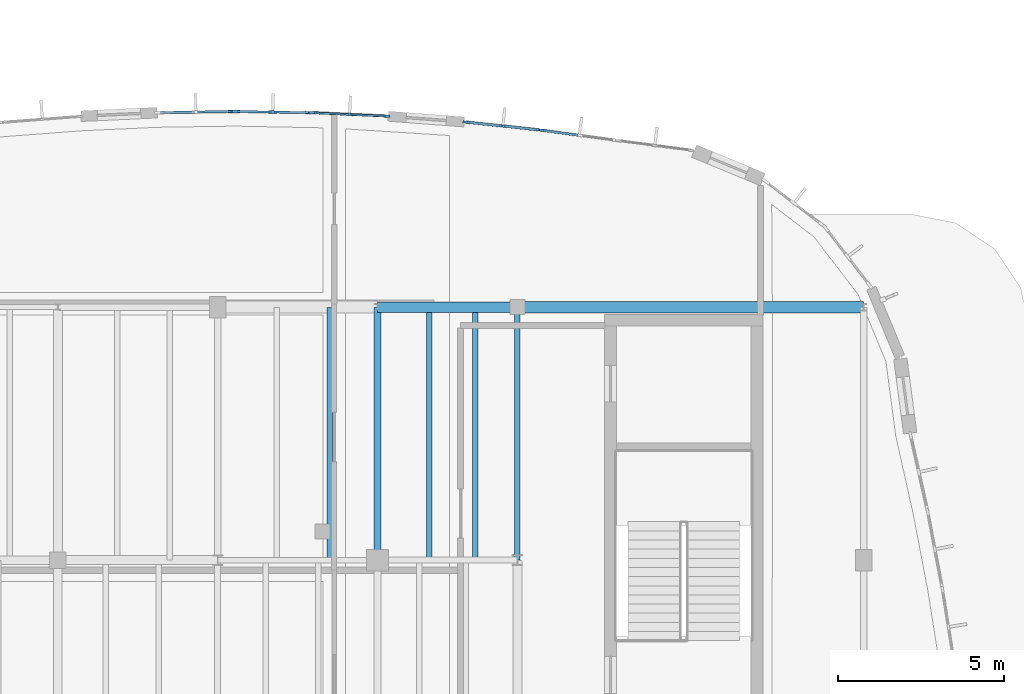
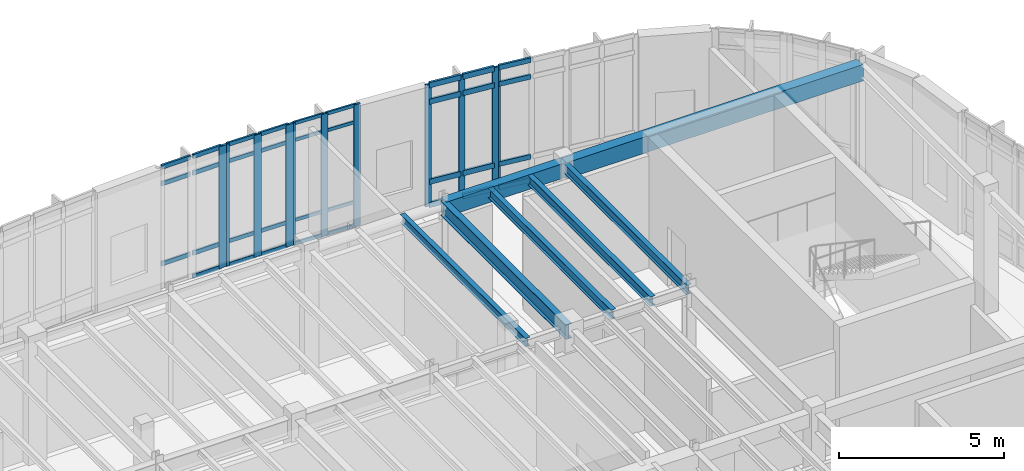
# One storey, part 63 of 120: 46 members, 7 beams, 5 elements without a shape of their own.
"""IFC4 building model written with IfcOpenShell, lengths in metres."""

from ifc_helpers import new_model, si_unit, direction, frame, origin, origin_2d, place, context, subcontext, project, spatial, rectangle, i_section, extrude, material, material_profile, profile_set, type_object, element, aggregate, save


model = new_model("IFC4")

# Units and contexts
model_context = context("Model", 3, precision=1e-05, world=origin(), true_north=direction((0.0, 1.0)))
body_context = subcontext(model_context, "Body", "Model", "MODEL_VIEW")
ifc_project = project(units=[si_unit("LENGTHUNIT", "METRE"), si_unit("AREAUNIT", "SQUARE_METRE"), si_unit("VOLUMEUNIT", "CUBIC_METRE"), si_unit("PLANEANGLEUNIT", "RADIAN"), si_unit("MASSUNIT", "GRAM", prefix="KILO")], contexts=[model_context])

# Site, building, storey
site_placement = place(None, origin())
site = spatial("IfcSite", under=ifc_project, at=site_placement, CompositionType="ELEMENT")
building_placement = place(site_placement, origin())
building = spatial("IfcBuilding", under=site, at=building_placement, Name="Corveleigh Park Community Centre", CompositionType="ELEMENT")
storey_placement = place(building_placement, origin())
storey = spatial("IfcBuildingStorey", under=building, at=storey_placement, Name="L00", CompositionType="ELEMENT", Elevation=0.0)

# Beams
ifc_material_1 = material(Name="Steel S355", Category="steel")
ifc_material_profile_1 = material_profile(ifc_material_1, i_section(OverallWidth=0.1669921875, OverallDepth=0.310302734375, WebThickness=0.0078125, FlangeThickness=0.013671875, at=origin_2d()), Name="UKB 305x165x54", Category="steel")
ifc_profile_set_1 = profile_set([ifc_material_profile_1], Name="Steel S355")
beam_type_1 = type_object("IfcBeamType", Name="BM-STL-UKB305x54", PredefinedType="JOIST", material=ifc_profile_set_1)
beam_1_placement = place(storey_placement, frame((152.360107421875, 96.60498046875, 4.371826171875), z_axis=(0.0, 1.0, 0.0), x_axis=(-1.0, 0.0, 0.0)))
element("IfcBeam", 1, at=beam_1_placement, inside=storey, type_object=beam_type_1, Name="Secondary floor joist", PredefinedType="JOIST", context=body_context, shape_type="SweptSolid", body=[
    extrude(i_section(OverallWidth=0.1669921875, OverallDepth=0.310302734375, WebThickness=0.0078125, FlangeThickness=0.013671875, at=origin_2d()), origin(), (0.0, 0.0, 1.0), 7.590087890625),
])
ifc_material_profile_2 = material_profile(ifc_material_1, i_section(OverallWidth=0.171142578125, OverallDepth=0.351318359375, WebThickness=0.007080078125, FlangeThickness=0.009765625, at=origin_2d()), Name="UKB 356x171x45", Category="steel")
ifc_profile_set_2 = profile_set([ifc_material_profile_2], Name="Steel S355")
beam_type_2 = type_object("IfcBeamType", Name="BM-STL-UKB356x45", PredefinedType="JOIST", material=ifc_profile_set_2)
for number, where, z_axis, x_axis, name in (
    (2, (155.35400390625, 96.60498046875, 4.351318359375), (0.0, 1.0, 0.0), (-1.0, 0.0, 0.0), "Secondary floor joist"),
    (3, (156.739990234375, 96.60498046875, 4.351318359375), (0.0, 1.0, 0.0), (-1.0, 0.0, 0.0), "Secondary floor joist"),
):
    element("IfcBeam", number, at=place(storey_placement, frame(where, z_axis=z_axis, x_axis=x_axis)), inside=storey, type_object=beam_type_2, Name=name, PredefinedType="JOIST", context=body_context, shape_type="SweptSolid", body=[
        extrude(i_section(OverallWidth=0.171142578125, OverallDepth=0.351318359375, WebThickness=0.007080078125, FlangeThickness=0.009765625, at=origin_2d()), origin(), (0.0, 0.0, 1.0), 7.590087890625),
    ])
ifc_material_profile_3 = material_profile(ifc_material_1, i_section(OverallWidth=0.172119140625, OverallDepth=0.35791015625, WebThickness=0.008056640625, FlangeThickness=0.012939453125, at=origin_2d()), Name="UKB 356x171x57", Category="steel")
ifc_profile_set_3 = profile_set([ifc_material_profile_3], Name="Steel S355")
beam_type_3 = type_object("IfcBeamType", Name="BM-STL-UKB356x57", PredefinedType="BEAM", material=ifc_profile_set_3)
beam_2_placement = place(storey_placement, frame((158.0, 96.60498046875, 4.347900390625), z_axis=(0.0, 1.0, 0.0), x_axis=(-1.0, 0.0, 0.0)))
element("IfcBeam", 4, at=beam_2_placement, inside=storey, type_object=beam_type_3, Name="V4 Girder Y", PredefinedType="BEAM", context=body_context, shape_type="SweptSolid", body=[
    extrude(i_section(OverallWidth=0.172119140625, OverallDepth=0.35791015625, WebThickness=0.008056640625, FlangeThickness=0.012939453125, at=origin_2d()), origin(), (0.0, 0.0, 1.0), 7.590087890625),
])
ifc_material_profile_4 = material_profile(ifc_material_1, i_section(OverallWidth=0.210693359375, OverallDepth=0.53955078125, WebThickness=0.01171875, FlangeThickness=0.018798828125, at=origin_2d()), Name="UKB 533x210x109", Category="steel")
ifc_profile_set_4 = profile_set([ifc_material_profile_4], Name="Steel S355")
beam_type_4 = type_object("IfcBeamType", Name="BM-STL-UKB533x109", PredefinedType="BEAM", material=ifc_profile_set_4)
beam_3_placement = place(storey_placement, frame((153.800048828125, 96.60498046875, 4.257080078125), z_axis=(0.0, 1.0, 0.0), x_axis=(-1.0, 0.0, 0.0)))
element("IfcBeam", 5, at=beam_3_placement, inside=storey, type_object=beam_type_4, Name="V4 Girder Y", PredefinedType="BEAM", context=body_context, shape_type="SweptSolid", body=[
    extrude(i_section(OverallWidth=0.210693359375, OverallDepth=0.53955078125, WebThickness=0.01171875, FlangeThickness=0.018798828125, at=origin_2d()), origin(), (0.0, 0.0, 1.0), 7.590087890625),
])

# Curtain wall, member
ifc_material_2 = material(Name="Anodised aluminium 6063-T6", Category="aluminium")
curtain_wall_type = type_object("IfcCurtainWallType", Name="CW-SYS-V4-L00", PredefinedType="NOTDEFINED", material=ifc_material_2)
curtain_wall_1_placement = place(storey_placement, origin())
curtain_wall_1 = element("IfcCurtainWall", 6, at=curtain_wall_1_placement, inside=storey, type_object=curtain_wall_type, Name="V4 L00 Curtain Wall 134", PredefinedType="NOTDEFINED")
ifc_material_profile_5 = material_profile(ifc_material_2, rectangle(XDim=0.06494140625, YDim=0.179931640625, at=origin_2d()), Name="ALU-M65x180", Category="aluminium")
ifc_profile_set_5 = profile_set([ifc_material_profile_5], Name="Anodised aluminium 6063-T6")
member_type_1 = type_object("IfcMemberType", Name="CWM-65x180", PredefinedType="MULLION", material=ifc_profile_set_5)
member_1_placement = place(storey_placement, frame((158.754150390625, 109.509521484375, 0.0), z_axis=(0.0, 0.0, 1.0), x_axis=(0.136534069852, 0.990635375791, 0.0)))
member_1 = element("IfcMember", 7, at=member_1_placement, type_object=member_type_1, Name="CW07 mullion 1", PredefinedType="MULLION", context=body_context, shape_type="SweptSolid", body=[
    extrude(rectangle(XDim=0.06494140625, YDim=0.179931640625, at=origin_2d()), origin(), (0.0, 0.0, 1.0), 4.511962890625),
])

# Curtain wall, members
curtain_wall_2_placement = place(storey_placement, origin())
curtain_wall_2 = element("IfcCurtainWall", 8, at=curtain_wall_2_placement, inside=storey, type_object=curtain_wall_type, Name="V4 L00 Curtain Wall 135", PredefinedType="NOTDEFINED")
ifc_material_profile_6 = material_profile(ifc_material_2, rectangle(XDim=0.070068359375, YDim=0.199951171875, at=origin_2d()), Name="ALU-M70x200", Category="aluminium")
ifc_profile_set_6 = profile_set([ifc_material_profile_6], Name="Anodised aluminium 6063-T6")
member_type_2 = type_object("IfcMemberType", Name="CWM-70x200", PredefinedType="MULLION", material=ifc_profile_set_6)
member_2_placement = place(storey_placement, frame((156.460693359375, 109.75537109375, 0.0), z_axis=(0.0, 0.0, 1.0), x_axis=(0.106070735992, 0.994358586711, 0.0)))
member_2 = element("IfcMember", 9, at=member_2_placement, type_object=member_type_2, Name="CW07 mullion 1", PredefinedType="MULLION", context=body_context, shape_type="SweptSolid", body=[
    extrude(rectangle(XDim=0.070068359375, YDim=0.199951171875, at=origin_2d()), origin(), (0.0, 0.0, 1.0), 4.511962890625),
])
member_3_placement = place(storey_placement, frame((157.56494140625, 109.637451171875, 0.0), z_axis=(0.0, 0.0, 1.0), x_axis=(0.106070735992, 0.994358586711, 0.0)))
member_3 = element("IfcMember", 10, at=member_3_placement, type_object=member_type_2, Name="CW07 mullion 2", PredefinedType="MULLION", context=body_context, shape_type="SweptSolid", body=[
    extrude(rectangle(XDim=0.070068359375, YDim=0.199951171875, at=origin_2d()), origin(), (0.0, 0.0, 1.0), 4.511962890625),
])
member_4_placement = place(storey_placement, frame((158.669189453125, 109.519775390625, 0.0), z_axis=(0.0, 0.0, 1.0), x_axis=(0.106070735992, 0.994358586711, 0.0)))
member_4 = element("IfcMember", 11, at=member_4_placement, type_object=member_type_2, Name="CW07 mullion 3", PredefinedType="MULLION", context=body_context, shape_type="SweptSolid", body=[
    extrude(rectangle(XDim=0.070068359375, YDim=0.199951171875, at=origin_2d()), origin(), (0.0, 0.0, 1.0), 4.511962890625),
])

curtain_wall_3_placement = place(storey_placement, origin())
curtain_wall_3 = element("IfcCurtainWall", 12, at=curtain_wall_3_placement, inside=storey, type_object=curtain_wall_type, Name="V4 L00 Curtain Wall 136", PredefinedType="NOTDEFINED")
ifc_material_profile_7 = material_profile(ifc_material_2, rectangle(XDim=0.074951171875, YDim=0.219970703125, at=origin_2d()), Name="ALU-M75x220", Category="aluminium")
ifc_profile_set_7 = profile_set([ifc_material_profile_7], Name="Anodised aluminium 6063-T6")
member_type_3 = type_object("IfcMemberType", Name="CWM-75x220", PredefinedType="MULLION", material=ifc_profile_set_7)
member_5_placement = place(storey_placement, frame((151.85546875, 110.038330078125, 0.0), z_axis=(0.0, 0.0, 1.0), x_axis=(0.045843359805, 0.998948640502, 0.0)))
member_5 = element("IfcMember", 13, at=member_5_placement, type_object=member_type_3, Name="CW07 mullion 1", PredefinedType="MULLION", context=body_context, shape_type="SweptSolid", body=[
    extrude(rectangle(XDim=0.074951171875, YDim=0.219970703125, at=origin_2d()), origin(), (0.0, 0.0, 1.0), 4.511962890625),
])
member_6_placement = place(storey_placement, frame((152.9619140625, 109.987548828125, 0.0), z_axis=(0.0, 0.0, 1.0), x_axis=(0.045843359805, 0.998948640502, 0.0)))
member_6 = element("IfcMember", 14, at=member_6_placement, type_object=member_type_3, Name="CW07 mullion 2", PredefinedType="MULLION", context=body_context, shape_type="SweptSolid", body=[
    extrude(rectangle(XDim=0.074951171875, YDim=0.219970703125, at=origin_2d()), origin(), (0.0, 0.0, 1.0), 4.511962890625),
])
member_7_placement = place(storey_placement, frame((154.068603515625, 109.936767578125, 0.0), z_axis=(0.0, 0.0, 1.0), x_axis=(0.045843359805, 0.998948640502, 0.0)))
member_7 = element("IfcMember", 15, at=member_7_placement, type_object=member_type_3, Name="CW07 mullion 3", PredefinedType="MULLION", context=body_context, shape_type="SweptSolid", body=[
    extrude(rectangle(XDim=0.074951171875, YDim=0.219970703125, at=origin_2d()), origin(), (0.0, 0.0, 1.0), 4.511962890625),
])

curtain_wall_4_placement = place(storey_placement, origin())
curtain_wall_4 = element("IfcCurtainWall", 16, at=curtain_wall_4_placement, inside=storey, type_object=curtain_wall_type, Name="V4 L00 Curtain Wall 137", PredefinedType="NOTDEFINED")
ifc_material_profile_8 = material_profile(ifc_material_2, rectangle(XDim=0.080078125, YDim=0.25, at=origin_2d()), Name="ALU-M80x250", Category="aluminium")
ifc_profile_set_8 = profile_set([ifc_material_profile_8], Name="Anodised aluminium 6063-T6")
member_type_4 = type_object("IfcMemberType", Name="CWM-80x250", PredefinedType="MULLION", material=ifc_profile_set_8)
member_8_placement = place(storey_placement, frame((149.549072265625, 110.075439453125, 0.0), z_axis=(0.0, 0.0, 1.0), x_axis=(0.01571172252, 0.999876563269, 0.0)))
member_8 = element("IfcMember", 17, at=member_8_placement, type_object=member_type_4, Name="CW07 mullion 1", PredefinedType="MULLION", context=body_context, shape_type="SweptSolid", body=[
    extrude(rectangle(XDim=0.080078125, YDim=0.25, at=origin_2d()), origin(), (0.0, 0.0, 1.0), 4.511962890625),
])
member_9_placement = place(storey_placement, frame((150.654541015625, 110.05810546875, 0.0), z_axis=(0.0, 0.0, 1.0), x_axis=(0.01571172252, 0.999876563269, 0.0)))
member_9 = element("IfcMember", 18, at=member_9_placement, type_object=member_type_4, Name="CW07 mullion 2", PredefinedType="MULLION", context=body_context, shape_type="SweptSolid", body=[
    extrude(rectangle(XDim=0.080078125, YDim=0.25, at=origin_2d()), origin(), (0.0, 0.0, 1.0), 4.511962890625),
])
member_10_placement = place(storey_placement, frame((151.760009765625, 110.04052734375, 0.0), z_axis=(0.0, 0.0, 1.0), x_axis=(0.01571172252, 0.999876563269, 0.0)))
member_10 = element("IfcMember", 19, at=member_10_placement, type_object=member_type_4, Name="CW07 mullion 3", PredefinedType="MULLION", context=body_context, shape_type="SweptSolid", body=[
    extrude(rectangle(XDim=0.080078125, YDim=0.25, at=origin_2d()), origin(), (0.0, 0.0, 1.0), 4.511962890625),
])

# Curtain wall, member
curtain_wall_5_placement = place(storey_placement, origin())
curtain_wall_5 = element("IfcCurtainWall", 20, at=curtain_wall_5_placement, inside=storey, type_object=curtain_wall_type, Name="V4 L00 Curtain Wall 138", PredefinedType="NOTDEFINED")
ifc_material_profile_9 = material_profile(ifc_material_2, rectangle(XDim=0.0849609375, YDim=0.27490234375, at=origin_2d()), Name="ALU-M85x275", Category="aluminium")
ifc_profile_set_9 = profile_set([ifc_material_profile_9], Name="Anodised aluminium 6063-T6")
member_type_5 = type_object("IfcMemberType", Name="CWM-85x275", PredefinedType="MULLION", material=ifc_profile_set_9)
member_11_placement = place(storey_placement, frame((149.448486328125, 110.075439453125, 0.0), z_axis=(0.0, 0.0, 1.0), x_axis=(-0.01571172252, 0.999876563269, 0.0)))
member_11 = element("IfcMember", 21, at=member_11_placement, type_object=member_type_5, Name="CW07 mullion 3", PredefinedType="MULLION", context=body_context, shape_type="SweptSolid", body=[
    extrude(rectangle(XDim=0.0849609375, YDim=0.27490234375, at=origin_2d()), origin(), (0.0, 0.0, 1.0), 4.511962890625),
])

# Member
ifc_material_profile_10 = material_profile(ifc_material_2, rectangle(XDim=0.06005859375, YDim=0.1201171875, at=origin_2d()), Name="ALU-T60x120", Category="aluminium")
ifc_profile_set_10 = profile_set([ifc_material_profile_10], Name="Anodised aluminium 6063-T6")
member_type_6 = type_object("IfcMemberType", Name="CWT-60x120", PredefinedType="USERDEFINED", material=ifc_profile_set_10)
member_12_placement = place(storey_placement, frame((151.892822265625, 110.03662109375, 0.030029296875), z_axis=(0.998947968556, -0.045857999503, 0.0), x_axis=(0.045857999503, 0.998947968556, 0.0)))
member_12 = element("IfcMember", 22, at=member_12_placement, type_object=member_type_6, Name="CW07 transom 1.1", ObjectType="TRANSOM", PredefinedType="USERDEFINED", context=body_context, shape_type="SweptSolid", body=[
    extrude(rectangle(XDim=0.06005859375, YDim=0.1201171875, at=origin_2d()), origin(), (0.0, 0.0, 1.0), 1.03271484375),
])

member_13_placement = place(storey_placement, frame((151.892822265625, 110.03662109375, 0.89990234375), z_axis=(0.998947968556, -0.045857999503, 0.0), x_axis=(0.045857999503, 0.998947968556, 0.0)))
member_13 = element("IfcMember", 23, at=member_13_placement, type_object=member_type_6, Name="CW07 transom 1.2", ObjectType="TRANSOM", PredefinedType="USERDEFINED", context=body_context, shape_type="SweptSolid", body=[
    extrude(rectangle(XDim=0.06005859375, YDim=0.1201171875, at=origin_2d()), origin(), (0.0, 0.0, 1.0), 1.03271484375),
])

member_14_placement = place(storey_placement, frame((151.892822265625, 110.03662109375, 3.862060546875), z_axis=(0.998947968556, -0.045857999503, 0.0), x_axis=(0.045857999503, 0.998947968556, 0.0)))
member_14 = element("IfcMember", 24, at=member_14_placement, type_object=member_type_6, Name="CW07 transom 1.3", ObjectType="TRANSOM", PredefinedType="USERDEFINED", context=body_context, shape_type="SweptSolid", body=[
    extrude(rectangle(XDim=0.06005859375, YDim=0.1201171875, at=origin_2d()), origin(), (0.0, 0.0, 1.0), 1.03271484375),
])

member_15_placement = place(storey_placement, frame((151.892822265625, 110.03662109375, 4.48193359375), z_axis=(0.998947968556, -0.045857999503, 0.0), x_axis=(0.045857999503, 0.998947968556, 0.0)))
member_15 = element("IfcMember", 25, at=member_15_placement, type_object=member_type_6, Name="CW07 transom 1.4", ObjectType="TRANSOM", PredefinedType="USERDEFINED", context=body_context, shape_type="SweptSolid", body=[
    extrude(rectangle(XDim=0.06005859375, YDim=0.1201171875, at=origin_2d()), origin(), (0.0, 0.0, 1.0), 1.03271484375),
])

member_16_placement = place(storey_placement, frame((152.99951171875, 109.98583984375, 0.030029296875), z_axis=(0.99894747128, -0.045868830634, 0.0), x_axis=(0.045868830634, 0.99894747128, 0.0)))
member_16 = element("IfcMember", 26, at=member_16_placement, type_object=member_type_6, Name="CW07 transom 2.1", ObjectType="TRANSOM", PredefinedType="USERDEFINED", context=body_context, shape_type="SweptSolid", body=[
    extrude(rectangle(XDim=0.06005859375, YDim=0.1201171875, at=origin_2d()), origin(), (0.0, 0.0, 1.0), 1.032470703125),
])

member_17_placement = place(storey_placement, frame((152.99951171875, 109.98583984375, 0.89990234375), z_axis=(0.99894747128, -0.045868830634, 0.0), x_axis=(0.045868830634, 0.99894747128, 0.0)))
member_17 = element("IfcMember", 27, at=member_17_placement, type_object=member_type_6, Name="CW07 transom 2.2", ObjectType="TRANSOM", PredefinedType="USERDEFINED", context=body_context, shape_type="SweptSolid", body=[
    extrude(rectangle(XDim=0.06005859375, YDim=0.1201171875, at=origin_2d()), origin(), (0.0, 0.0, 1.0), 1.032470703125),
])

member_18_placement = place(storey_placement, frame((152.99951171875, 109.98583984375, 3.862060546875), z_axis=(0.99894747128, -0.045868830634, 0.0), x_axis=(0.045868830634, 0.99894747128, 0.0)))
member_18 = element("IfcMember", 28, at=member_18_placement, type_object=member_type_6, Name="CW07 transom 2.3", ObjectType="TRANSOM", PredefinedType="USERDEFINED", context=body_context, shape_type="SweptSolid", body=[
    extrude(rectangle(XDim=0.06005859375, YDim=0.1201171875, at=origin_2d()), origin(), (0.0, 0.0, 1.0), 1.032470703125),
])

member_19_placement = place(storey_placement, frame((152.99951171875, 109.98583984375, 4.48193359375), z_axis=(0.99894747128, -0.045868830634, 0.0), x_axis=(0.045868830634, 0.99894747128, 0.0)))
member_19 = element("IfcMember", 29, at=member_19_placement, type_object=member_type_6, Name="CW07 transom 2.4", ObjectType="TRANSOM", PredefinedType="USERDEFINED", context=body_context, shape_type="SweptSolid", body=[
    extrude(rectangle(XDim=0.06005859375, YDim=0.1201171875, at=origin_2d()), origin(), (0.0, 0.0, 1.0), 1.032470703125),
])

aggregate(curtain_wall_3, [member_5, member_6, member_7, member_12, member_13, member_14, member_15, member_16, member_17, member_18, member_19])

ifc_material_profile_11 = material_profile(ifc_material_2, rectangle(XDim=0.06494140625, YDim=0.139892578125, at=origin_2d()), Name="ALU-T65x140", Category="aluminium")
ifc_profile_set_11 = profile_set([ifc_material_profile_11], Name="Anodised aluminium 6063-T6")
member_type_7 = type_object("IfcMemberType", Name="CWT-65x140", PredefinedType="USERDEFINED", material=ifc_profile_set_11)
member_20_placement = place(storey_placement, frame((149.589111328125, 110.07470703125, 0.032470703125), z_axis=(0.999876553475, -0.01571234584, 0.0), x_axis=(0.01571234584, 0.999876553475, 0.0)))
member_20 = element("IfcMember", 30, at=member_20_placement, type_object=member_type_7, Name="CW07 transom 1.1", ObjectType="TRANSOM", PredefinedType="USERDEFINED", context=body_context, shape_type="SweptSolid", body=[
    extrude(rectangle(XDim=0.06494140625, YDim=0.139892578125, at=origin_2d()), origin(), (0.0, 0.0, 1.0), 1.025634765625),
])

member_21_placement = place(storey_placement, frame((149.589111328125, 110.07470703125, 0.89990234375), z_axis=(0.999876553475, -0.01571234584, 0.0), x_axis=(0.01571234584, 0.999876553475, 0.0)))
member_21 = element("IfcMember", 31, at=member_21_placement, type_object=member_type_7, Name="CW07 transom 1.2", ObjectType="TRANSOM", PredefinedType="USERDEFINED", context=body_context, shape_type="SweptSolid", body=[
    extrude(rectangle(XDim=0.06494140625, YDim=0.139892578125, at=origin_2d()), origin(), (0.0, 0.0, 1.0), 1.025634765625),
])

member_22_placement = place(storey_placement, frame((149.589111328125, 110.07470703125, 3.862060546875), z_axis=(0.999876553475, -0.01571234584, 0.0), x_axis=(0.01571234584, 0.999876553475, 0.0)))
member_22 = element("IfcMember", 32, at=member_22_placement, type_object=member_type_7, Name="CW07 transom 1.3", ObjectType="TRANSOM", PredefinedType="USERDEFINED", context=body_context, shape_type="SweptSolid", body=[
    extrude(rectangle(XDim=0.06494140625, YDim=0.139892578125, at=origin_2d()), origin(), (0.0, 0.0, 1.0), 1.025634765625),
])

member_23_placement = place(storey_placement, frame((149.589111328125, 110.07470703125, 4.4794921875), z_axis=(0.999876553475, -0.01571234584, 0.0), x_axis=(0.01571234584, 0.999876553475, 0.0)))
member_23 = element("IfcMember", 33, at=member_23_placement, type_object=member_type_7, Name="CW07 transom 1.4", ObjectType="TRANSOM", PredefinedType="USERDEFINED", context=body_context, shape_type="SweptSolid", body=[
    extrude(rectangle(XDim=0.06494140625, YDim=0.139892578125, at=origin_2d()), origin(), (0.0, 0.0, 1.0), 1.025634765625),
])

member_24_placement = place(storey_placement, frame((150.694580078125, 110.057373046875, 0.032470703125), z_axis=(0.999876553475, -0.01571234584, 0.0), x_axis=(0.01571234584, 0.999876553475, 0.0)))
member_24 = element("IfcMember", 34, at=member_24_placement, type_object=member_type_7, Name="CW07 transom 2.1", ObjectType="TRANSOM", PredefinedType="USERDEFINED", context=body_context, shape_type="SweptSolid", body=[
    extrude(rectangle(XDim=0.06494140625, YDim=0.139892578125, at=origin_2d()), origin(), (0.0, 0.0, 1.0), 1.025634765625),
])

member_25_placement = place(storey_placement, frame((150.694580078125, 110.057373046875, 0.89990234375), z_axis=(0.999876553475, -0.01571234584, 0.0), x_axis=(0.01571234584, 0.999876553475, 0.0)))
member_25 = element("IfcMember", 35, at=member_25_placement, type_object=member_type_7, Name="CW07 transom 2.2", ObjectType="TRANSOM", PredefinedType="USERDEFINED", context=body_context, shape_type="SweptSolid", body=[
    extrude(rectangle(XDim=0.06494140625, YDim=0.139892578125, at=origin_2d()), origin(), (0.0, 0.0, 1.0), 1.025634765625),
])

member_26_placement = place(storey_placement, frame((150.694580078125, 110.057373046875, 3.862060546875), z_axis=(0.999876553475, -0.01571234584, 0.0), x_axis=(0.01571234584, 0.999876553475, 0.0)))
member_26 = element("IfcMember", 36, at=member_26_placement, type_object=member_type_7, Name="CW07 transom 2.3", ObjectType="TRANSOM", PredefinedType="USERDEFINED", context=body_context, shape_type="SweptSolid", body=[
    extrude(rectangle(XDim=0.06494140625, YDim=0.139892578125, at=origin_2d()), origin(), (0.0, 0.0, 1.0), 1.025634765625),
])

member_27_placement = place(storey_placement, frame((150.694580078125, 110.057373046875, 4.4794921875), z_axis=(0.999876553475, -0.01571234584, 0.0), x_axis=(0.01571234584, 0.999876553475, 0.0)))
member_27 = element("IfcMember", 37, at=member_27_placement, type_object=member_type_7, Name="CW07 transom 2.4", ObjectType="TRANSOM", PredefinedType="USERDEFINED", context=body_context, shape_type="SweptSolid", body=[
    extrude(rectangle(XDim=0.06494140625, YDim=0.139892578125, at=origin_2d()), origin(), (0.0, 0.0, 1.0), 1.025634765625),
])

aggregate(curtain_wall_4, [member_8, member_9, member_10, member_20, member_21, member_22, member_23, member_24, member_25, member_26, member_27])

ifc_material_profile_12 = material_profile(ifc_material_2, rectangle(XDim=0.070068359375, YDim=0.155029296875, at=origin_2d()), Name="ALU-T70x155", Category="aluminium")
ifc_profile_set_12 = profile_set([ifc_material_profile_12], Name="Anodised aluminium 6063-T6")
member_type_8 = type_object("IfcMemberType", Name="CWT-70x155", PredefinedType="USERDEFINED", material=ifc_profile_set_12)
member_28_placement = place(storey_placement, frame((147.284912109375, 110.041259765625, 0.89990234375), z_axis=(0.999874771211, 0.015825356091, 0.0), x_axis=(-0.015825356091, 0.999874771211, 0.0)))
member_28 = element("IfcMember", 38, at=member_28_placement, type_object=member_type_8, Name="CW07 transom 1.2", ObjectType="TRANSOM", PredefinedType="USERDEFINED", context=body_context, shape_type="SweptSolid", body=[
    extrude(rectangle(XDim=0.070068359375, YDim=0.155029296875, at=origin_2d()), origin(), (0.0, 0.0, 1.0), 1.018310546875),
])

member_29_placement = place(storey_placement, frame((147.284912109375, 110.041259765625, 3.862060546875), z_axis=(0.999874771211, 0.015825356091, 0.0), x_axis=(-0.015825356091, 0.999874771211, 0.0)))
member_29 = element("IfcMember", 39, at=member_29_placement, type_object=member_type_8, Name="CW07 transom 1.3", ObjectType="TRANSOM", PredefinedType="USERDEFINED", context=body_context, shape_type="SweptSolid", body=[
    extrude(rectangle(XDim=0.070068359375, YDim=0.155029296875, at=origin_2d()), origin(), (0.0, 0.0, 1.0), 1.018310546875),
])

member_30_placement = place(storey_placement, frame((147.284912109375, 110.041259765625, 4.47705078125), z_axis=(0.999874771211, 0.015825356091, 0.0), x_axis=(-0.015825356091, 0.999874771211, 0.0)))
member_30 = element("IfcMember", 40, at=member_30_placement, type_object=member_type_8, Name="CW07 transom 1.4", ObjectType="TRANSOM", PredefinedType="USERDEFINED", context=body_context, shape_type="SweptSolid", body=[
    extrude(rectangle(XDim=0.070068359375, YDim=0.155029296875, at=origin_2d()), origin(), (0.0, 0.0, 1.0), 1.018310546875),
])

member_31_placement = place(storey_placement, frame((148.387939453125, 110.05859375, 0.034912109375), z_axis=(0.999874771211, 0.015825356091, 0.0), x_axis=(-0.015825356091, 0.999874771211, 0.0)))
member_31 = element("IfcMember", 41, at=member_31_placement, type_object=member_type_8, Name="CW07 transom 2.1", ObjectType="TRANSOM", PredefinedType="USERDEFINED", context=body_context, shape_type="SweptSolid", body=[
    extrude(rectangle(XDim=0.070068359375, YDim=0.155029296875, at=origin_2d()), origin(), (0.0, 0.0, 1.0), 1.018310546875),
])

member_32_placement = place(storey_placement, frame((148.387939453125, 110.05859375, 0.89990234375), z_axis=(0.999874771211, 0.015825356091, 0.0), x_axis=(-0.015825356091, 0.999874771211, 0.0)))
member_32 = element("IfcMember", 42, at=member_32_placement, type_object=member_type_8, Name="CW07 transom 2.2", ObjectType="TRANSOM", PredefinedType="USERDEFINED", context=body_context, shape_type="SweptSolid", body=[
    extrude(rectangle(XDim=0.070068359375, YDim=0.155029296875, at=origin_2d()), origin(), (0.0, 0.0, 1.0), 1.018310546875),
])

member_33_placement = place(storey_placement, frame((148.387939453125, 110.05859375, 3.862060546875), z_axis=(0.999874771211, 0.015825356091, 0.0), x_axis=(-0.015825356091, 0.999874771211, 0.0)))
member_33 = element("IfcMember", 43, at=member_33_placement, type_object=member_type_8, Name="CW07 transom 2.3", ObjectType="TRANSOM", PredefinedType="USERDEFINED", context=body_context, shape_type="SweptSolid", body=[
    extrude(rectangle(XDim=0.070068359375, YDim=0.155029296875, at=origin_2d()), origin(), (0.0, 0.0, 1.0), 1.018310546875),
])

member_34_placement = place(storey_placement, frame((148.387939453125, 110.05859375, 4.47705078125), z_axis=(0.999874771211, 0.015825356091, 0.0), x_axis=(-0.015825356091, 0.999874771211, 0.0)))
member_34 = element("IfcMember", 44, at=member_34_placement, type_object=member_type_8, Name="CW07 transom 2.4", ObjectType="TRANSOM", PredefinedType="USERDEFINED", context=body_context, shape_type="SweptSolid", body=[
    extrude(rectangle(XDim=0.070068359375, YDim=0.155029296875, at=origin_2d()), origin(), (0.0, 0.0, 1.0), 1.018310546875),
])

aggregate(curtain_wall_5, [member_11, member_28, member_29, member_30, member_31, member_32, member_33, member_34])

ifc_material_profile_13 = material_profile(ifc_material_2, rectangle(XDim=0.074951171875, YDim=0.175048828125, at=origin_2d()), Name="ALU-T75x175", Category="aluminium")
ifc_profile_set_13 = profile_set([ifc_material_profile_13], Name="Anodised aluminium 6063-T6")
member_type_9 = type_object("IfcMemberType", Name="CWT-75x175", PredefinedType="USERDEFINED", material=ifc_profile_set_13)
member_35_placement = place(storey_placement, frame((158.786376953125, 109.505126953125, 0.03759765625), z_axis=(0.990617869041, -0.136661031522, 0.0), x_axis=(0.136661031522, 0.990617869041, 0.0)))
member_35 = element("IfcMember", 45, at=member_35_placement, type_object=member_type_9, Name="CW07 transom 1.1", ObjectType="TRANSOM", PredefinedType="USERDEFINED", context=body_context, shape_type="SweptSolid", body=[
    extrude(rectangle(XDim=0.074951171875, YDim=0.175048828125, at=origin_2d()), origin(), (0.0, 0.0, 1.0), 1.048583984375),
])

member_36_placement = place(storey_placement, frame((158.786376953125, 109.505126953125, 0.89990234375), z_axis=(0.990617869041, -0.136661031522, 0.0), x_axis=(0.136661031522, 0.990617869041, 0.0)))
member_36 = element("IfcMember", 46, at=member_36_placement, type_object=member_type_9, Name="CW07 transom 1.2", ObjectType="TRANSOM", PredefinedType="USERDEFINED", context=body_context, shape_type="SweptSolid", body=[
    extrude(rectangle(XDim=0.074951171875, YDim=0.175048828125, at=origin_2d()), origin(), (0.0, 0.0, 1.0), 1.048583984375),
])

member_37_placement = place(storey_placement, frame((158.786376953125, 109.505126953125, 3.862060546875), z_axis=(0.990617869041, -0.136661031522, 0.0), x_axis=(0.136661031522, 0.990617869041, 0.0)))
member_37 = element("IfcMember", 47, at=member_37_placement, type_object=member_type_9, Name="CW07 transom 1.3", ObjectType="TRANSOM", PredefinedType="USERDEFINED", context=body_context, shape_type="SweptSolid", body=[
    extrude(rectangle(XDim=0.074951171875, YDim=0.175048828125, at=origin_2d()), origin(), (0.0, 0.0, 1.0), 1.048583984375),
])

member_38_placement = place(storey_placement, frame((158.786376953125, 109.505126953125, 4.474609375), z_axis=(0.990617869041, -0.136661031522, 0.0), x_axis=(0.136661031522, 0.990617869041, 0.0)))
member_38 = element("IfcMember", 48, at=member_38_placement, type_object=member_type_9, Name="CW07 transom 1.4", ObjectType="TRANSOM", PredefinedType="USERDEFINED", context=body_context, shape_type="SweptSolid", body=[
    extrude(rectangle(XDim=0.074951171875, YDim=0.175048828125, at=origin_2d()), origin(), (0.0, 0.0, 1.0), 1.048583984375),
])

aggregate(curtain_wall_1, [member_1, member_35, member_36, member_37, member_38])

ifc_material_profile_14 = material_profile(ifc_material_2, rectangle(XDim=0.080078125, YDim=0.195068359375, at=origin_2d()), Name="ALU-T80x195", Category="aluminium")
ifc_profile_set_14 = profile_set([ifc_material_profile_14], Name="Anodised aluminium 6063-T6")
member_type_10 = type_object("IfcMemberType", Name="CWT-80x195", PredefinedType="USERDEFINED", material=ifc_profile_set_14)
member_39_placement = place(storey_placement, frame((156.49560546875, 109.75146484375, 0.0400390625), z_axis=(0.994360520241, -0.106052608577, 0.0), x_axis=(0.106052608577, 0.994360520241, 0.0)))
member_39 = element("IfcMember", 49, at=member_39_placement, type_object=member_type_10, Name="CW07 transom 1.1", ObjectType="TRANSOM", PredefinedType="USERDEFINED", context=body_context, shape_type="SweptSolid", body=[
    extrude(rectangle(XDim=0.080078125, YDim=0.195068359375, at=origin_2d()), origin(), (0.0, 0.0, 1.0), 1.04052734375),
])

member_40_placement = place(storey_placement, frame((156.49560546875, 109.75146484375, 0.89990234375), z_axis=(0.994360520241, -0.106052608577, 0.0), x_axis=(0.106052608577, 0.994360520241, 0.0)))
member_40 = element("IfcMember", 50, at=member_40_placement, type_object=member_type_10, Name="CW07 transom 1.2", ObjectType="TRANSOM", PredefinedType="USERDEFINED", context=body_context, shape_type="SweptSolid", body=[
    extrude(rectangle(XDim=0.080078125, YDim=0.195068359375, at=origin_2d()), origin(), (0.0, 0.0, 1.0), 1.04052734375),
])

member_41_placement = place(storey_placement, frame((156.49560546875, 109.75146484375, 3.862060546875), z_axis=(0.994360520241, -0.106052608577, 0.0), x_axis=(0.106052608577, 0.994360520241, 0.0)))
member_41 = element("IfcMember", 51, at=member_41_placement, type_object=member_type_10, Name="CW07 transom 1.3", ObjectType="TRANSOM", PredefinedType="USERDEFINED", context=body_context, shape_type="SweptSolid", body=[
    extrude(rectangle(XDim=0.080078125, YDim=0.195068359375, at=origin_2d()), origin(), (0.0, 0.0, 1.0), 1.04052734375),
])

member_42_placement = place(storey_placement, frame((156.49560546875, 109.75146484375, 4.471923828125), z_axis=(0.994360520241, -0.106052608577, 0.0), x_axis=(0.106052608577, 0.994360520241, 0.0)))
member_42 = element("IfcMember", 52, at=member_42_placement, type_object=member_type_10, Name="CW07 transom 1.4", ObjectType="TRANSOM", PredefinedType="USERDEFINED", context=body_context, shape_type="SweptSolid", body=[
    extrude(rectangle(XDim=0.080078125, YDim=0.195068359375, at=origin_2d()), origin(), (0.0, 0.0, 1.0), 1.04052734375),
])

member_43_placement = place(storey_placement, frame((157.599853515625, 109.6337890625, 0.0400390625), z_axis=(0.994357880401, -0.106077357078, 0.0), x_axis=(0.106077357078, 0.994357880401, 0.0)))
member_43 = element("IfcMember", 53, at=member_43_placement, type_object=member_type_10, Name="CW07 transom 2.1", ObjectType="TRANSOM", PredefinedType="USERDEFINED", context=body_context, shape_type="SweptSolid", body=[
    extrude(rectangle(XDim=0.080078125, YDim=0.195068359375, at=origin_2d()), origin(), (0.0, 0.0, 1.0), 1.040283203125),
])

member_44_placement = place(storey_placement, frame((157.599853515625, 109.6337890625, 0.89990234375), z_axis=(0.994357880401, -0.106077357078, 0.0), x_axis=(0.106077357078, 0.994357880401, 0.0)))
member_44 = element("IfcMember", 54, at=member_44_placement, type_object=member_type_10, Name="CW07 transom 2.2", ObjectType="TRANSOM", PredefinedType="USERDEFINED", context=body_context, shape_type="SweptSolid", body=[
    extrude(rectangle(XDim=0.080078125, YDim=0.195068359375, at=origin_2d()), origin(), (0.0, 0.0, 1.0), 1.040283203125),
])

member_45_placement = place(storey_placement, frame((157.599853515625, 109.6337890625, 3.862060546875), z_axis=(0.994357880401, -0.106077357078, 0.0), x_axis=(0.106077357078, 0.994357880401, 0.0)))
member_45 = element("IfcMember", 55, at=member_45_placement, type_object=member_type_10, Name="CW07 transom 2.3", ObjectType="TRANSOM", PredefinedType="USERDEFINED", context=body_context, shape_type="SweptSolid", body=[
    extrude(rectangle(XDim=0.080078125, YDim=0.195068359375, at=origin_2d()), origin(), (0.0, 0.0, 1.0), 1.040283203125),
])

member_46_placement = place(storey_placement, frame((157.599853515625, 109.6337890625, 4.471923828125), z_axis=(0.994357880401, -0.106077357078, 0.0), x_axis=(0.106077357078, 0.994357880401, 0.0)))
member_46 = element("IfcMember", 56, at=member_46_placement, type_object=member_type_10, Name="CW07 transom 2.4", ObjectType="TRANSOM", PredefinedType="USERDEFINED", context=body_context, shape_type="SweptSolid", body=[
    extrude(rectangle(XDim=0.080078125, YDim=0.195068359375, at=origin_2d()), origin(), (0.0, 0.0, 1.0), 1.040283203125),
])

aggregate(curtain_wall_2, [member_2, member_3, member_4, member_39, member_40, member_41, member_42, member_43, member_44, member_45, member_46])

# Beams
ifc_material_3 = material(Name="Concrete C40/50", Category="concrete")
ifc_material_profile_15 = material_profile(ifc_material_3, rectangle(XDim=0.320068359375, YDim=0.5400390625, at=origin_2d()), Name="RC-320x540", Category="concrete")
ifc_profile_set_15 = profile_set([ifc_material_profile_15], Name="Concrete C40/50")
beam_type_5 = type_object("IfcBeamType", Name="SP-RC-320x540", PredefinedType="SPANDREL", material=ifc_profile_set_15)
beam_4_placement = place(storey_placement, frame((153.804931640625, 104.199951171875, 4.257080078125), z_axis=(1.0, 0.0, 0.0), x_axis=(0.0, 1.0, 0.0)))
element("IfcBeam", 57, at=beam_4_placement, inside=storey, type_object=beam_type_5, Name="V4 Girder X", PredefinedType="SPANDREL", context=body_context, shape_type="SweptSolid", body=[
    extrude(rectangle(XDim=0.320068359375, YDim=0.5400390625, at=origin_2d()), origin(), (0.0, 0.0, 1.0), 4.190185546875),
])
ifc_material_profile_16 = material_profile(ifc_material_3, rectangle(XDim=0.35009765625, YDim=0.60009765625, at=origin_2d()), Name="RC-350x600", Category="concrete")
ifc_profile_set_16 = profile_set([ifc_material_profile_16], Name="Concrete C40/50")
beam_type_6 = type_object("IfcBeamType", Name="SP-RC-350x600", PredefinedType="SPANDREL", material=ifc_profile_set_16)
beam_5_placement = place(storey_placement, frame((158.0048828125, 104.199951171875, 4.22705078125), z_axis=(1.0, 0.0, 0.0), x_axis=(0.0, 1.0, 0.0)))
element("IfcBeam", 58, at=beam_5_placement, inside=storey, type_object=beam_type_6, Name="V4 Girder X", PredefinedType="SPANDREL", context=body_context, shape_type="SweptSolid", body=[
    extrude(rectangle(XDim=0.35009765625, YDim=0.60009765625, at=origin_2d()), origin(), (0.0, 0.0, 1.0), 10.39013671875),
])

save(model, "model.ifc")
